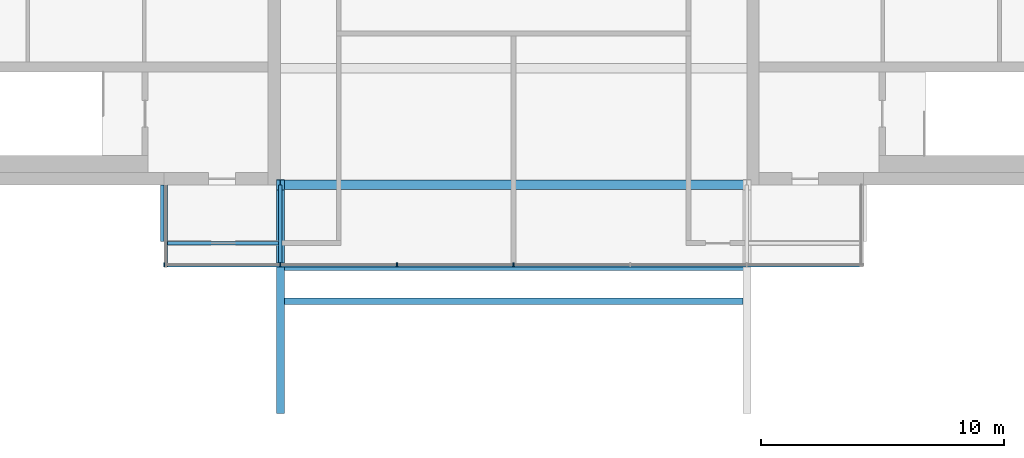
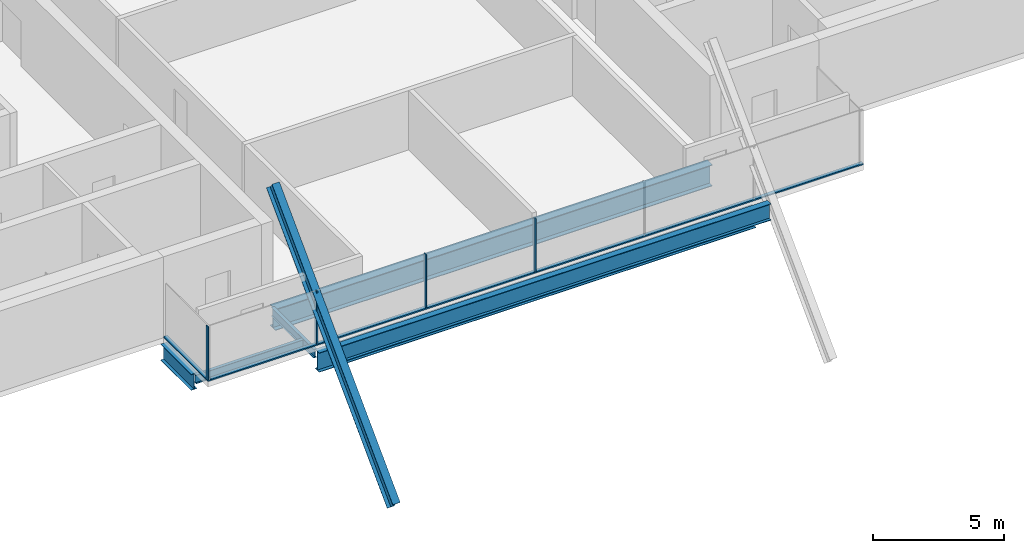
# One storey, part 2 of 11: 7 beams, 6 members, 2 elements without a shape of their own.
"""IFC4 building model written with IfcOpenShell, lengths in metres."""

from ifc_helpers import new_model, si_unit, direction, frame, origin, origin_2d, place, context, subcontext, project, spatial, rectangle, i_section, extrude, material, material_profile, profile_set, type_object, element, aggregate, save


model = new_model("IFC4")

# Units and contexts
model_context = context("Model", 3, precision=1e-05, world=origin(), true_north=direction((0.0, 1.0)))
body_context = subcontext(model_context, "Body", "Model", "MODEL_VIEW")
ifc_project = project(units=[si_unit("LENGTHUNIT", "METRE"), si_unit("AREAUNIT", "SQUARE_METRE"), si_unit("VOLUMEUNIT", "CUBIC_METRE"), si_unit("PLANEANGLEUNIT", "RADIAN"), si_unit("MASSUNIT", "GRAM", prefix="KILO")], contexts=[model_context])

# Site, building, storey
site_placement = place(None, origin())
site = spatial("IfcSite", under=ifc_project, at=site_placement, CompositionType="ELEMENT")
building_placement = place(site_placement, origin())
building = spatial("IfcBuilding", under=site, at=building_placement, Name="Baori Bourse Tower", CompositionType="ELEMENT")
storey_placement = place(building_placement, frame((0.0, 0.0, 366.300048828125)))
storey = spatial("IfcBuildingStorey", under=building, at=storey_placement, Name="L82", CompositionType="ELEMENT", Elevation=366.300048828125)

# Curtain wall, members
ifc_material_1 = material(Name="Pale anodised aluminium", Category="aluminium")
curtain_wall_type = type_object("IfcCurtainWallType", Name="CW3 Curtain wall", PredefinedType="NOTDEFINED", material=ifc_material_1)
curtain_wall_1_placement = place(storey_placement, origin())
curtain_wall_1 = element("IfcCurtainWall", 1, at=curtain_wall_1_placement, inside=storey, type_object=curtain_wall_type, Name="Curtain wall CW3 L82 11", PredefinedType="NOTDEFINED")
ifc_material_2 = material(Name="Pale anodised aluminium", Category="aluminium")
ifc_material_profile_1 = material_profile(ifc_material_2, rectangle(XDim=0.159912109375, YDim=0.050048828125, at=origin_2d()), Name="Mullion 50x160")
ifc_profile_set_1 = profile_set([ifc_material_profile_1], Name="Pale anodised aluminium")
member_type_1 = type_object("IfcMemberType", Name="CW3 Curtain wall mullion", PredefinedType="MULLION", material=ifc_profile_set_1)
member_1_placement = place(storey_placement, frame((14.425048828125, 6.30224609375, 0.06005859375), z_axis=(0.0, 0.0, 1.0), x_axis=(0.0, 1.0, 0.0)))
member_1 = element("IfcMember", 2, at=member_1_placement, type_object=member_type_1, Name="Curtain wall CW3 mullion", PredefinedType="MULLION", context=body_context, shape_type="SweptSolid", body=[
    extrude(rectangle(XDim=0.159912109375, YDim=0.050048828125, at=origin_2d()), origin(), (0.0, 0.0, 1.0), 2.469970703125),
])
member_2_placement = place(storey_placement, frame((19.199951171875, 6.30224609375, 0.06005859375), z_axis=(0.0, 0.0, 1.0), x_axis=(0.0, 1.0, 0.0)))
member_2 = element("IfcMember", 3, at=member_2_placement, type_object=member_type_1, Name="Curtain wall CW3 mullion", PredefinedType="MULLION", context=body_context, shape_type="SweptSolid", body=[
    extrude(rectangle(XDim=0.159912109375, YDim=0.050048828125, at=origin_2d()), origin(), (0.0, 0.0, 1.0), 2.469970703125),
])
member_3_placement = place(storey_placement, frame((24.0, 6.30224609375, 0.06005859375), z_axis=(0.0, 0.0, 1.0), x_axis=(0.0, 1.0, 0.0)))
member_3 = element("IfcMember", 4, at=member_3_placement, type_object=member_type_1, Name="Curtain wall CW3 mullion", PredefinedType="MULLION", context=body_context, shape_type="SweptSolid", body=[
    extrude(rectangle(XDim=0.159912109375, YDim=0.050048828125, at=origin_2d()), origin(), (0.0, 0.0, 1.0), 2.469970703125),
])
member_4_placement = place(storey_placement, frame((28.800048828125, 6.30224609375, 0.06005859375), z_axis=(0.0, 0.0, 1.0), x_axis=(0.0, 1.0, 0.0)))
member_4 = element("IfcMember", 5, at=member_4_placement, type_object=member_type_1, Name="Curtain wall CW3 mullion", PredefinedType="MULLION", context=body_context, shape_type="SweptSolid", body=[
    extrude(rectangle(XDim=0.159912109375, YDim=0.050048828125, at=origin_2d()), origin(), (0.0, 0.0, 1.0), 2.469970703125),
])

# Curtain wall, member
curtain_wall_2_placement = place(storey_placement, origin())
curtain_wall_2 = element("IfcCurtainWall", 6, at=curtain_wall_2_placement, inside=storey, type_object=curtain_wall_type, Name="Curtain wall CW3 L82 10", PredefinedType="NOTDEFINED")
ifc_material_3 = material(Name="Pale anodised aluminium", Category="aluminium")
ifc_material_profile_2 = material_profile(ifc_material_3, rectangle(XDim=0.159912109375, YDim=0.06005859375, at=origin_2d()), Name="Transom 60x160")
ifc_profile_set_2 = profile_set([ifc_material_profile_2], Name="Pale anodised aluminium")
member_type_2 = type_object("IfcMemberType", Name="CW3 Curtain wall transom", PredefinedType="USERDEFINED", material=ifc_profile_set_2)
member_5_placement = place(storey_placement, frame((14.47998046875, 9.60009765625, 0.030029296875), z_axis=(0.0, -1.0, 0.0), x_axis=(1.0, 0.0, 0.0)))
member_5 = element("IfcMember", 7, at=member_5_placement, type_object=member_type_2, Name="Curtain wall CW3 sill rail", ObjectType="TRANSOM", PredefinedType="USERDEFINED", context=body_context, shape_type="SweptSolid", body=[
    extrude(rectangle(XDim=0.159912109375, YDim=0.06005859375, at=origin_2d()), origin(), (0.0, 0.0, 1.0), 3.3779296875),
])
aggregate(curtain_wall_2, [member_5])

# Member
member_6_placement = place(storey_placement, frame((14.39990234375, 6.30224609375, 0.030029296875), z_axis=(1.0, 0.0, 0.0), x_axis=(0.0, 1.0, 0.0)))
member_6 = element("IfcMember", 8, at=member_6_placement, type_object=member_type_2, Name="Curtain wall CW3 sill rail", ObjectType="TRANSOM", PredefinedType="USERDEFINED", context=body_context, shape_type="SweptSolid", body=[
    extrude(rectangle(XDim=0.159912109375, YDim=0.06005859375, at=origin_2d()), origin(), (0.0, 0.0, 1.0), 28.800048828125),
])

aggregate(curtain_wall_1, [member_6, member_1, member_2, member_3, member_4])

# Beams
ifc_material_4 = material(Name="Steel A992 Gr 50", Category="steel")
ifc_material_profile_3 = material_profile(ifc_material_4, i_section(OverallWidth=0.26416015625, OverallDepth=0.749267578125, WebThickness=0.011962890625, FlangeThickness=0.015380859375, at=origin_2d()), Name="W30x90")
ifc_profile_set_3 = profile_set([ifc_material_profile_3], Name="Steel A992 Gr 50")
beam_type_1 = type_object("IfcBeamType", Name="Core bracket W30x90", PredefinedType="BEAM", material=ifc_profile_set_3)
beam_1_placement = place(storey_placement, frame((14.39990234375, 7.270263671875, -0.624755859375), z_axis=(0.0, 1.0, 0.0), x_axis=(-1.0, 0.0, 0.0)))
element("IfcBeam", 9, at=beam_1_placement, inside=storey, type_object=beam_type_1, Name="Core bracket L82", PredefinedType="BEAM", context=body_context, shape_type="SweptSolid", body=[
    extrude(i_section(OverallWidth=0.26416015625, OverallDepth=0.749267578125, WebThickness=0.011962890625, FlangeThickness=0.015380859375, at=origin_2d()), origin(), (0.0, 0.0, 1.0), 2.329833984375),
])
ifc_material_5 = material(Name="Steel A992 Gr 50", Category="steel")
ifc_material_profile_4 = material_profile(ifc_material_5, i_section(OverallWidth=0.3046875, OverallDepth=0.904296875, WebThickness=0.01513671875, FlangeThickness=0.02001953125, at=origin_2d()), Name="W36x135")
ifc_profile_set_4 = profile_set([ifc_material_profile_4], Name="Steel A992 Gr 50")
beam_type_2 = type_object("IfcBeamType", Name="Edge beam W36x135", PredefinedType="BEAM", material=ifc_profile_set_4)
beam_2_placement = place(storey_placement, frame((19.199951171875, 6.22216796875, -0.7021484375), z_axis=(1.0, 0.0, 0.0), x_axis=(0.0, 1.0, 0.0)))
element("IfcBeam", 10, at=beam_2_placement, inside=storey, type_object=beam_type_2, Name="Edge beam L82", PredefinedType="BEAM", context=body_context, shape_type="SweptSolid", body=[
    extrude(i_section(OverallWidth=0.3046875, OverallDepth=0.904296875, WebThickness=0.01513671875, FlangeThickness=0.02001953125, at=origin_2d()), origin(), (0.0, 0.0, 1.0), 19.199951171875),
])
ifc_material_6 = material(Name="Steel A992 Gr 50", Category="steel")
ifc_material_profile_5 = material_profile(ifc_material_6, i_section(OverallWidth=0.4013671875, OverallDepth=0.990478515625, WebThickness=0.0166015625, FlangeThickness=0.031005859375, at=origin_2d()), Name="W40x215")
ifc_profile_set_5 = profile_set([ifc_material_profile_5], Name="Steel A992 Gr 50")
beam_type_3 = type_object("IfcBeamType", Name="Floor beam W40x215", PredefinedType="BEAM", material=ifc_profile_set_5)
beam_3_placement = place(storey_placement, frame((19.199951171875, 9.60009765625, -0.745361328125), z_axis=(1.0, 0.0, 0.0), x_axis=(0.0, 1.0, 0.0)))
element("IfcBeam", 11, at=beam_3_placement, inside=storey, type_object=beam_type_3, Name="Floor beam L82", PredefinedType="BEAM", context=body_context, shape_type="SweptSolid", body=[
    extrude(i_section(OverallWidth=0.4013671875, OverallDepth=0.990478515625, WebThickness=0.0166015625, FlangeThickness=0.031005859375, at=origin_2d()), origin(), (0.0, 0.0, 1.0), 19.199951171875),
])
ifc_material_7 = material(Name="Steel A992 Gr 50", Category="steel")
ifc_material_profile_6 = material_profile(ifc_material_7, i_section(OverallWidth=0.140380859375, OverallDepth=0.40380859375, WebThickness=0.007080078125, FlangeThickness=0.01123046875, at=origin_2d()), Name="W16x31")
ifc_profile_set_6 = profile_set([ifc_material_profile_6], Name="Steel A992 Gr 50")
beam_type_4 = type_object("IfcBeamType", Name="Girder W16x31", PredefinedType="BEAM", material=ifc_profile_set_6)
beam_4_placement = place(storey_placement, frame((19.199951171875, 6.37451171875, -0.451904296875), z_axis=(0.0, 1.0, 0.0), x_axis=(-1.0, 0.0, 0.0)))
element("IfcBeam", 12, at=beam_4_placement, inside=storey, type_object=beam_type_4, Name="Girder L82", PredefinedType="BEAM", context=body_context, shape_type="SweptSolid", body=[
    extrude(i_section(OverallWidth=0.140380859375, OverallDepth=0.40380859375, WebThickness=0.007080078125, FlangeThickness=0.01123046875, at=origin_2d()), origin(), (0.0, 0.0, 1.0), 3.2255859375),
])
ifc_material_8 = material(Name="Steel A992 Gr 50", Category="steel")
ifc_material_profile_7 = material_profile(ifc_material_8, i_section(OverallWidth=0.3251953125, OverallDepth=0.612060546875, WebThickness=0.0126953125, FlangeThickness=0.01904296875, at=origin_2d()), Name="W24x104")
ifc_profile_set_7 = profile_set([ifc_material_profile_7], Name="Steel A992 Gr 50")
beam_type_5 = type_object("IfcBeamType", Name="Rafter W24x104", PredefinedType="BEAM", material=ifc_profile_set_7)
beam_5_placement = place(storey_placement, frame((19.199951171875, 0.39990234375, -3.8935546875), z_axis=(0.0, 0.702711048158, 0.711475356422), x_axis=(-1.0, 0.0, 0.0)))
element("IfcBeam", 13, at=beam_5_placement, inside=storey, type_object=beam_type_5, Name="Rafter Roof", PredefinedType="BEAM", context=body_context, shape_type="SweptSolid", body=[
    extrude(i_section(OverallWidth=0.3251953125, OverallDepth=0.612060546875, WebThickness=0.0126953125, FlangeThickness=0.01904296875, at=origin_2d()), origin(), (0.0, 0.0, 1.0), 13.092529296875),
])
ifc_material_9 = material(Name="Steel A992 Gr 50", Category="steel")
ifc_material_profile_8 = material_profile(ifc_material_9, i_section(OverallWidth=0.2666015625, OverallDepth=0.76953125, WebThickness=0.015625, FlangeThickness=0.025390625, at=origin_2d()), Name="W30x132")
ifc_profile_set_8 = profile_set([ifc_material_profile_8], Name="Steel A992 Gr 50")
beam_type_6 = type_object("IfcBeamType", Name="Roof purlin W30x132", PredefinedType="BEAM", material=ifc_profile_set_8)
beam_6_placement = place(storey_placement, frame((19.362548828125, 4.800048828125, 0.479248046875), z_axis=(1.0, 0.0, 0.0), x_axis=(0.0, 1.0, 0.0)))
element("IfcBeam", 14, at=beam_6_placement, inside=storey, type_object=beam_type_6, Name="Roof purlin Roof", PredefinedType="BEAM", context=body_context, shape_type="SweptSolid", body=[
    extrude(i_section(OverallWidth=0.2666015625, OverallDepth=0.76953125, WebThickness=0.015625, FlangeThickness=0.025390625, at=origin_2d()), origin(), (0.0, 0.0, 1.0), 18.875),
])
ifc_material_10 = material(Name="Steel A992 Gr 50", Category="steel")
ifc_material_profile_9 = material_profile(ifc_material_10, i_section(OverallWidth=0.140380859375, OverallDepth=0.40380859375, WebThickness=0.007080078125, FlangeThickness=0.01123046875, at=origin_2d()), Name="W16x31")
ifc_profile_set_9 = profile_set([ifc_material_profile_9], Name="Steel A992 Gr 50")
beam_type_7 = type_object("IfcBeamType", Name="Trimmer beam W16x31", PredefinedType="BEAM", material=ifc_profile_set_9)
beam_7_placement = place(storey_placement, frame((14.39990234375, 7.199951171875, -0.451904296875), z_axis=(1.0, 0.0, 0.0), x_axis=(0.0, 1.0, 0.0)))
element("IfcBeam", 15, at=beam_7_placement, inside=storey, type_object=beam_type_7, Name="Trimmer beam L82", PredefinedType="BEAM", context=body_context, shape_type="SweptSolid", body=[
    extrude(i_section(OverallWidth=0.140380859375, OverallDepth=0.40380859375, WebThickness=0.007080078125, FlangeThickness=0.01123046875, at=origin_2d()), origin(), (0.0, 0.0, 1.0), 4.72998046875),
])

save(model, "model.ifc")
